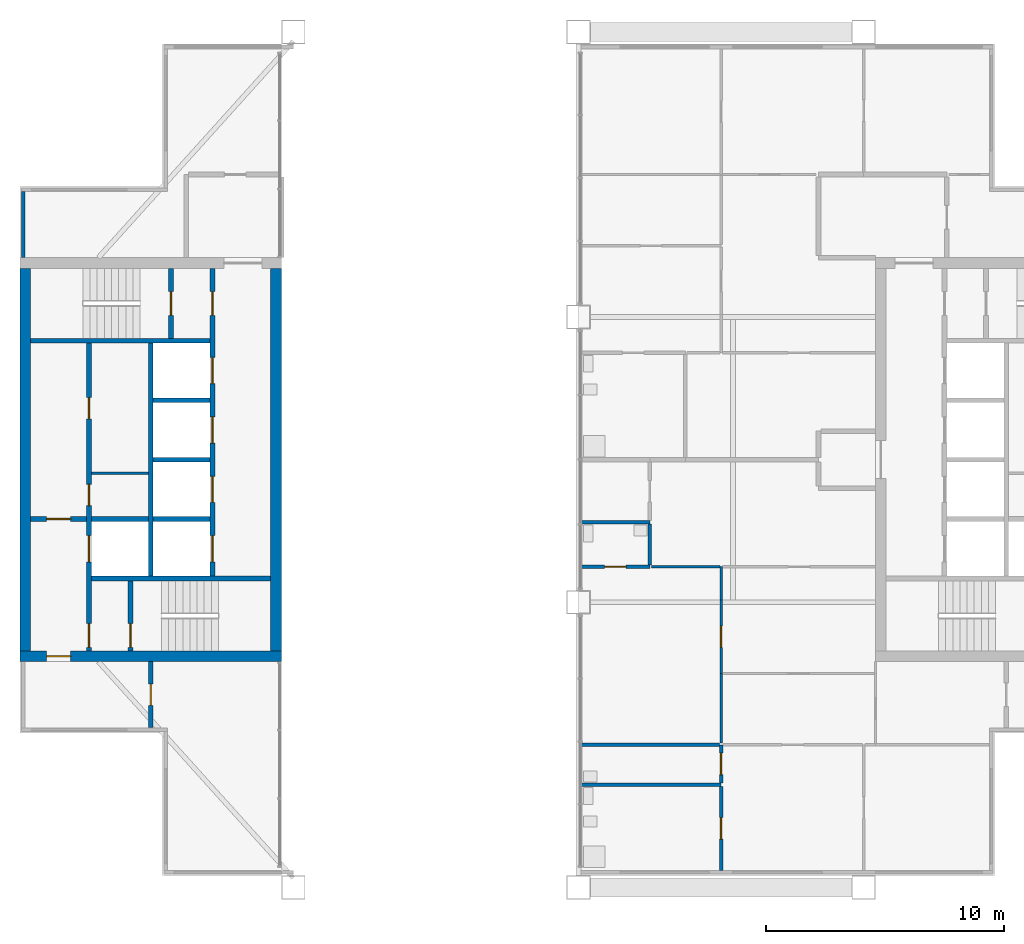
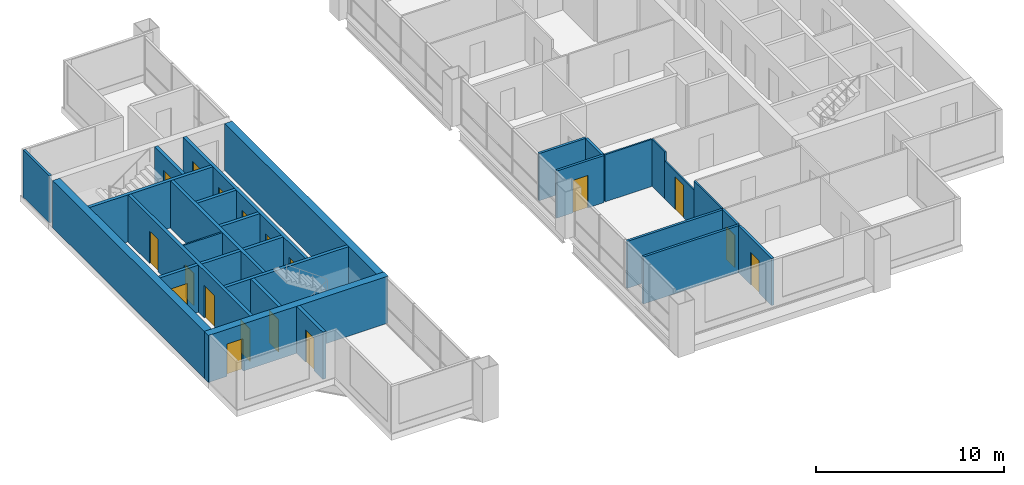
# One storey, part 7 of 12: 29 walls, 18 doors, 18 openings.
"""IFC4 building model written with IfcOpenShell, lengths in metres."""

from ifc_helpers import new_model, si_unit, direction, frame, frame_2d, origin, place, context, subcontext, project, spatial, rectangle, extrude, material, layer, layer_set, type_object, element, fill, save


model = new_model("IFC4")

# Units and contexts
model_context = context("Model", 3, precision=1e-05, world=origin(), true_north=direction((0.0, 1.0)))
body_context = subcontext(model_context, "Body", "Model", "MODEL_VIEW")
ifc_project = project(units=[si_unit("LENGTHUNIT", "METRE"), si_unit("AREAUNIT", "SQUARE_METRE"), si_unit("VOLUMEUNIT", "CUBIC_METRE"), si_unit("PLANEANGLEUNIT", "RADIAN"), si_unit("MASSUNIT", "GRAM", prefix="KILO")], contexts=[model_context])

# Site, building, storey
site_placement = place(None, origin())
site = spatial("IfcSite", under=ifc_project, at=site_placement, CompositionType="ELEMENT")
building_placement = place(site_placement, origin())
building = spatial("IfcBuilding", under=site, at=building_placement, Name="Kitamizu Gate Tower and Museum", CompositionType="ELEMENT")
storey_placement = place(building_placement, frame((0.0, 0.0, 255.89990234375)))
storey = spatial("IfcBuildingStorey", under=building, at=storey_placement, Name="L69", CompositionType="ELEMENT", Elevation=255.89990234375)

# Wall, opening, door
ifc_material_1 = material(Name="Concrete Fc42", Category="concrete")
ifc_layer_1 = layer(ifc_material_1, 0.449951171875)
ifc_layer_set_1 = layer_set([ifc_layer_1], Name="Concrete Fc42")
wall_type_1 = type_object("IfcWallType", Name="Core wall 450 EI 90", PredefinedType="SHEAR", material=ifc_layer_set_1)
wall_1_placement = place(storey_placement, frame((12.5, 21.72509765625, 0.0), z_axis=(0.0, 0.0, 1.0), x_axis=(1.0, 0.0, 0.0)))
wall_1 = element("IfcWall", 1, at=wall_1_placement, inside=storey, type_object=wall_type_1, Name="Core wall WS", PredefinedType="SHEAR", context=body_context, shape_type="SweptSolid", body=[
    extrude(rectangle(XDim=11.0, YDim=0.449951171875, at=frame_2d((5.5, 0.0))), origin(), (0.0, 0.0, 1.0), 3.050048828125),
])
opening_1_placement = place(wall_1_placement, frame((1.125, 0.0, 0.0)))
opening_1 = element("IfcOpeningElement", 2, at=opening_1_placement, cuts=wall_1, Name="Opening L69-028", PredefinedType="OPENING", context=body_context, shape_type="SweptSolid", body=[
    extrude(rectangle(XDim=1.0, YDim=2.10009765625, at=frame_2d((0.5, 1.050048828125))), frame((0.0, 0.23486328125, 0.0), z_axis=(0.0, -1.0, 0.0), x_axis=(1.0, 0.0, 0.0)), (0.0, 0.0, 1.0), 0.469970703125),
])
ifc_material_2 = material(Name="Hollow metal door set")
door_type_1 = type_object("IfcDoorType", Name="Fire door 1000", OperationType="NOTDEFINED", PredefinedType="DOOR", material=ifc_material_2)
door_1_placement = place(opening_1_placement, origin())
door_1 = element("IfcDoor", 3, at=door_1_placement, inside=storey, type_object=door_type_1, Name="Fire-fighting lobby door L69-028", OperationType="SINGLE_SWING_RIGHT", OverallHeight=2.10009765625, OverallWidth=1.0, PredefinedType="DOOR", context=body_context, shape_type="SweptSolid", body=[
    extrude(rectangle(XDim=1.0, YDim=2.10009765625, at=frame_2d((0.5, 1.050048828125))), frame((0.0, 0.02490234375, 0.0), z_axis=(0.0, -1.0, 0.0), x_axis=(1.0, 0.0, 0.0)), (0.0, 0.0, 1.0), 0.050048828125),
])
fill(opening_1, door_1)

# Walls
for number, where, z_axis, x_axis, name in (
    (4, (12.72509765625, 21.949951171875, 0.0), (0.0, 0.0, 1.0), (0.0, 1.0, 0.0), "Core wall WOUT"),
    (5, (23.27490234375, 21.949951171875, 0.0), (0.0, 0.0, 1.0), (0.0, 1.0, 0.0), "Core wall WARC"),
):
    element("IfcWall", number, at=place(storey_placement, frame(where, z_axis=z_axis, x_axis=x_axis)), inside=storey, type_object=wall_type_1, Name=name, PredefinedType="SHEAR", context=body_context, shape_type="SweptSolid", body=[
        extrude(rectangle(XDim=16.10009765625, YDim=0.449951171875, at=frame_2d((8.050048828125, 0.0))), origin(), (0.0, 0.0, 1.0), 3.050048828125),
    ])
ifc_material_3 = material(Name="Gypsum board on galvanised stud")
ifc_layer_2 = layer(ifc_material_3, 0.10009765625)
ifc_layer_set_2 = layer_set([ifc_layer_2], Name="Gypsum board on galvanised stud")
wall_type_2 = type_object("IfcWallType", Name="Partition 100", PredefinedType="PARTITIONING", material=ifc_layer_set_2)
wall_2_placement = place(storey_placement, frame((15.5, 29.425048828125, 0.0), z_axis=(0.0, 0.0, 1.0), x_axis=(1.0, 0.0, 0.0)))
element("IfcWall", 6, at=wall_2_placement, inside=storey, type_object=wall_type_2, Name="Partition WPF1", PredefinedType="PARTITIONING", context=body_context, shape_type="SweptSolid", body=[
    extrude(rectangle(XDim=2.39990234375, YDim=0.10009765625, at=frame_2d((1.199951171875, 0.0))), origin(), (0.0, 0.0, 1.0), 3.050048828125),
])
ifc_material_4 = material(Name="Gypsum board on galvanised stud")
ifc_layer_3 = layer(ifc_material_4, 0.10009765625)
ifc_layer_set_3 = layer_set([ifc_layer_3], Name="Gypsum board on galvanised stud")
wall_type_3 = type_object("IfcWallType", Name="Partition 100 NOT RATED", PredefinedType="PARTITIONING", material=ifc_layer_set_3)
wall_3_placement = place(storey_placement, frame((42.0, 18.074951171875, 0.0), z_axis=(0.0, 0.0, 1.0), x_axis=(0.0, 1.0, 0.0)))
element("IfcWall", 7, at=wall_3_placement, inside=storey, type_object=wall_type_3, Name="Partition L69-016", PredefinedType="PARTITIONING", context=body_context, shape_type="SweptSolid", body=[
    extrude(rectangle(XDim=2.925048828125, YDim=0.10009765625, at=frame_2d((1.46240234375, 0.0))), origin(), (0.0, 0.0, 1.0), 3.050048828125),
])

# Wall, opening, door
wall_4_placement = place(storey_placement, frame((42.0, 21.0, 0.0), z_axis=(0.0, 0.0, 1.0), x_axis=(0.0, 1.0, 0.0)))
wall_4 = element("IfcWall", 8, at=wall_4_placement, inside=storey, type_object=wall_type_3, Name="Partition L69-017", PredefinedType="PARTITIONING", context=body_context, shape_type="SweptSolid", body=[
    extrude(rectangle(XDim=3.10009765625, YDim=0.10009765625, at=frame_2d((1.550048828125, 0.0))), origin(), (0.0, 0.0, 1.0), 2.4501953125),
])
opening_2_placement = place(wall_4_placement, frame((1.10009765625, 0.0, 0.0)))
opening_2 = element("IfcOpeningElement", 9, at=opening_2_placement, cuts=wall_4, Name="Opening L69-008", PredefinedType="OPENING", context=body_context, shape_type="SweptSolid", body=[
    extrude(rectangle(XDim=0.89990234375, YDim=2.10009765625, at=frame_2d((0.449951171875, 1.050048828125))), frame((0.0, 0.06005859375, 0.0), z_axis=(0.0, -1.0, 0.0), x_axis=(1.0, 0.0, 0.0)), (0.0, 0.0, 1.0), 0.1201171875),
])
ifc_material_5 = material(Name="Timber door set", Category="wood")
door_type_2 = type_object("IfcDoorType", Name="Room door 900", OperationType="NOTDEFINED", PredefinedType="DOOR", material=ifc_material_5)
door_2_placement = place(opening_2_placement, frame((0.89990234375, 0.0, 0.0), x_axis=(-1.0, 0.0, 0.0)))
door_2 = element("IfcDoor", 10, at=door_2_placement, inside=storey, type_object=door_type_2, Name="Door L69-008", OperationType="SINGLE_SWING_LEFT", OverallHeight=2.10009765625, OverallWidth=0.89990234375, PredefinedType="DOOR", context=body_context, shape_type="SweptSolid", body=[
    extrude(rectangle(XDim=0.89990234375, YDim=2.10009765625, at=frame_2d((0.449951171875, 1.050048828125))), frame((0.0, 0.02490234375, 0.0), z_axis=(0.0, -1.0, 0.0), x_axis=(1.0, 0.0, 0.0)), (0.0, 0.0, 1.0), 0.050048828125),
])
fill(opening_2, door_2)

# Walls
wall_5_placement = place(storey_placement, frame((42.0, 24.10009765625, 0.0), z_axis=(0.0, 0.0, 1.0), x_axis=(0.0, 1.0, 0.0)))
element("IfcWall", 11, at=wall_5_placement, inside=storey, type_object=wall_type_3, Name="Partition L69-018", PredefinedType="PARTITIONING", context=body_context, shape_type="SweptSolid", body=[
    extrude(rectangle(XDim=1.39990234375, YDim=0.10009765625, at=frame_2d((0.699951171875, 0.0))), origin(), (0.0, 0.0, 1.0), 3.050048828125),
])
wall_6_placement = place(storey_placement, frame((41.949951171875, 25.5, 0.0), z_axis=(0.0, 0.0, 1.0), x_axis=(-1.0, 0.0, 0.0)))
element("IfcWall", 12, at=wall_6_placement, inside=storey, type_object=wall_type_3, Name="Partition L69-020", PredefinedType="PARTITIONING", context=body_context, shape_type="SweptSolid", body=[
    extrude(rectangle(XDim=2.875, YDim=0.10009765625, at=frame_2d((1.4375, 0.0))), origin(), (0.0, 0.0, 1.0), 3.050048828125),
])
ifc_material_6 = material(Name="Gypsum board on galvanised stud")
ifc_layer_4 = layer(ifc_material_6, 0.14990234375)
ifc_layer_set_4 = layer_set([ifc_layer_4], Name="Gypsum board on galvanised stud")
wall_type_4 = type_object("IfcWallType", Name="Partition 150", PredefinedType="PARTITIONING", material=ifc_layer_set_4)
wall_7_placement = place(storey_placement, frame((42.0, 16.320068359375, 0.0), z_axis=(0.0, 0.0, 1.0), x_axis=(-1.0, 0.0, 0.0)))
element("IfcWall", 13, at=wall_7_placement, inside=storey, type_object=wall_type_4, Name="Partition L69-005", PredefinedType="PARTITIONING", context=body_context, shape_type="SweptSolid", body=[
    extrude(rectangle(XDim=5.89990234375, YDim=0.14990234375, at=frame_2d((2.949951171875, 0.0))), origin(), (0.0, 0.0, 1.0), 3.050048828125),
])

# Wall, opening, door
wall_8_placement = place(storey_placement, frame((42.0, 12.719970703125, 0.0), z_axis=(0.0, 0.0, 1.0), x_axis=(0.0, 1.0, 0.0)))
wall_8 = element("IfcWall", 14, at=wall_8_placement, inside=storey, type_object=wall_type_4, Name="Partition L69-006", PredefinedType="PARTITIONING", context=body_context, shape_type="SweptSolid", body=[
    extrude(rectangle(XDim=3.525146484375, YDim=0.14990234375, at=frame_2d((1.7626953125, 0.0))), origin(), (0.0, 0.0, 1.0), 3.050048828125),
])
opening_3_placement = place(wall_8_placement, frame((1.3125, 0.0, 0.0)))
opening_3 = element("IfcOpeningElement", 15, at=opening_3_placement, cuts=wall_8, Name="Opening L69-005", PredefinedType="OPENING", context=body_context, shape_type="SweptSolid", body=[
    extrude(rectangle(XDim=0.89990234375, YDim=2.10009765625, at=frame_2d((0.449951171875, 1.050048828125))), frame((0.0, 0.0849609375, 0.0), z_axis=(0.0, -1.0, 0.0), x_axis=(1.0, 0.0, 0.0)), (0.0, 0.0, 1.0), 0.169921875),
])
ifc_material_7 = material(Name="Timber door set", Category="wood")
door_type_3 = type_object("IfcDoorType", Name="Bathroom door 900", OperationType="NOTDEFINED", PredefinedType="DOOR", material=ifc_material_7)
door_3_placement = place(opening_3_placement, origin())
door_3 = element("IfcDoor", 16, at=door_3_placement, inside=storey, type_object=door_type_3, Name="Bathroom door L69-005", OperationType="SINGLE_SWING_RIGHT", OverallHeight=2.10009765625, OverallWidth=0.89990234375, PredefinedType="DOOR", context=body_context, shape_type="SweptSolid", body=[
    extrude(rectangle(XDim=0.89990234375, YDim=2.10009765625, at=frame_2d((0.449951171875, 1.050048828125))), frame((0.0, 0.02490234375, 0.0), z_axis=(0.0, -1.0, 0.0), x_axis=(1.0, 0.0, 0.0)), (0.0, 0.0, 1.0), 0.050048828125),
])
fill(opening_3, door_3)

wall_9_placement = place(storey_placement, frame((42.0, 16.39501953125, 0.0), z_axis=(0.0, 0.0, 1.0), x_axis=(0.0, 1.0, 0.0)))
wall_9 = element("IfcWall", 17, at=wall_9_placement, inside=storey, type_object=wall_type_4, Name="Partition L69-007", PredefinedType="PARTITIONING", context=body_context, shape_type="SweptSolid", body=[
    extrude(rectangle(XDim=1.60498046875, YDim=0.14990234375, at=frame_2d((0.802490234375, 0.0))), origin(), (0.0, 0.0, 1.0), 3.050048828125),
])
opening_4_placement = place(wall_9_placement, frame((0.3525390625, 0.0, 0.0)))
opening_4 = element("IfcOpeningElement", 18, at=opening_4_placement, cuts=wall_9, Name="Opening L69-006", PredefinedType="OPENING", context=body_context, shape_type="SweptSolid", body=[
    extrude(rectangle(XDim=0.89990234375, YDim=2.10009765625, at=frame_2d((0.449951171875, 1.050048828125))), frame((0.0, 0.0849609375, 0.0), z_axis=(0.0, -1.0, 0.0), x_axis=(1.0, 0.0, 0.0)), (0.0, 0.0, 1.0), 0.169921875),
])
door_4_placement = place(opening_4_placement, origin())
door_4 = element("IfcDoor", 19, at=door_4_placement, inside=storey, type_object=door_type_3, Name="Bathroom door L69-006", OperationType="SINGLE_SWING_LEFT", OverallHeight=2.10009765625, OverallWidth=0.89990234375, PredefinedType="DOOR", context=body_context, shape_type="SweptSolid", body=[
    extrude(rectangle(XDim=0.89990234375, YDim=2.10009765625, at=frame_2d((0.449951171875, 1.050048828125))), frame((0.0, 0.02490234375, 0.0), z_axis=(0.0, -1.0, 0.0), x_axis=(1.0, 0.0, 0.0)), (0.0, 0.0, 1.0), 0.050048828125),
])
fill(opening_4, door_4)

# Wall
wall_10_placement = place(storey_placement, frame((41.925048828125, 18.0, 0.0), z_axis=(0.0, 0.0, 1.0), x_axis=(-1.0, 0.0, 0.0)))
element("IfcWall", 20, at=wall_10_placement, inside=storey, type_object=wall_type_4, Name="Partition L69-008", PredefinedType="PARTITIONING", context=body_context, shape_type="SweptSolid", body=[
    extrude(rectangle(XDim=5.824951171875, YDim=0.14990234375, at=frame_2d((2.91259765625, 0.0))), origin(), (0.0, 0.0, 1.0), 3.050048828125),
])

# Wall, opening, door
wall_11_placement = place(storey_placement, frame((39.0, 25.5, 0.0), z_axis=(0.0, 0.0, 1.0), x_axis=(-1.0, 0.0, 0.0)))
wall_11 = element("IfcWall", 21, at=wall_11_placement, inside=storey, type_object=wall_type_4, Name="Partition L69-019", PredefinedType="PARTITIONING", context=body_context, shape_type="SweptSolid", body=[
    extrude(rectangle(XDim=2.89990234375, YDim=0.14990234375, at=frame_2d((1.449951171875, 0.0))), origin(), (0.0, 0.0, 1.0), 3.050048828125),
])
opening_5_placement = place(wall_11_placement, frame((1.0, 0.0, 0.0)))
opening_5 = element("IfcOpeningElement", 22, at=opening_5_placement, cuts=wall_11, Name="Opening L69-010", PredefinedType="OPENING", context=body_context, shape_type="SweptSolid", body=[
    extrude(rectangle(XDim=0.89990234375, YDim=2.10009765625, at=frame_2d((0.449951171875, 1.050048828125))), frame((0.0, 0.0849609375, 0.0), z_axis=(0.0, -1.0, 0.0), x_axis=(1.0, 0.0, 0.0)), (0.0, 0.0, 1.0), 0.169921875),
])
door_5_placement = place(opening_5_placement, frame((0.89990234375, 0.0, 0.0), x_axis=(-1.0, 0.0, 0.0)))
door_5 = element("IfcDoor", 23, at=door_5_placement, inside=storey, type_object=door_type_3, Name="Bathroom door L69-010", OperationType="SINGLE_SWING_LEFT", OverallHeight=2.10009765625, OverallWidth=0.89990234375, PredefinedType="DOOR", context=body_context, shape_type="SweptSolid", body=[
    extrude(rectangle(XDim=0.89990234375, YDim=2.10009765625, at=frame_2d((0.449951171875, 1.050048828125))), frame((0.0, 0.02490234375, 0.0), z_axis=(0.0, -1.0, 0.0), x_axis=(1.0, 0.0, 0.0)), (0.0, 0.0, 1.0), 0.050048828125),
])
fill(opening_5, door_5)

# Walls
wall_12_placement = place(storey_placement, frame((39.0, 27.362060546875, 0.0), z_axis=(0.0, 0.0, 1.0), x_axis=(-1.0, 0.0, 0.0)))
element("IfcWall", 24, at=wall_12_placement, inside=storey, type_object=wall_type_4, Name="Partition L69-023", PredefinedType="PARTITIONING", context=body_context, shape_type="SweptSolid", body=[
    extrude(rectangle(XDim=2.89990234375, YDim=0.14990234375, at=frame_2d((1.449951171875, 0.0))), origin(), (0.0, 0.0, 1.0), 3.050048828125),
])
wall_13_placement = place(storey_placement, frame((39.0, 25.574951171875, 0.0), z_axis=(0.0, 0.0, 1.0), x_axis=(0.0, 1.0, 0.0)))
element("IfcWall", 25, at=wall_13_placement, inside=storey, type_object=wall_type_4, Name="Partition L69-024", PredefinedType="PARTITIONING", context=body_context, shape_type="SweptSolid", body=[
    extrude(rectangle(XDim=1.712158203125, YDim=0.14990234375, at=frame_2d((0.85595703125, 0.0))), origin(), (0.0, 0.0, 1.0), 3.050048828125),
])

# Wall, opening, door
ifc_material_8 = material(Name="Gypsum board on galvanised stud")
ifc_layer_5 = layer(ifc_material_8, 0.199951171875)
ifc_layer_set_5 = layer_set([ifc_layer_5], Name="Gypsum board on galvanised stud")
wall_type_5 = type_object("IfcWallType", Name="Partition 200", PredefinedType="PARTITIONING", material=ifc_layer_set_5)
wall_14_placement = place(storey_placement, frame((18.0, 21.5, 0.0), z_axis=(0.0, 0.0, 1.0), x_axis=(0.0, -1.0, 0.0)))
wall_14 = element("IfcWall", 26, at=wall_14_placement, inside=storey, type_object=wall_type_5, Name="Partition L69-001", PredefinedType="PARTITIONING", context=body_context, shape_type="SweptSolid", body=[
    extrude(rectangle(XDim=2.780029296875, YDim=0.199951171875, at=frame_2d((1.39013671875, 0.0))), origin(), (0.0, 0.0, 1.0), 3.050048828125),
])
opening_6_placement = place(wall_14_placement, frame((0.93994140625, 0.0, 0.0)))
opening_6 = element("IfcOpeningElement", 27, at=opening_6_placement, cuts=wall_14, Name="Opening L69-021", PredefinedType="OPENING", context=body_context, shape_type="SweptSolid", body=[
    extrude(rectangle(XDim=0.89990234375, YDim=2.10009765625, at=frame_2d((0.449951171875, 1.050048828125))), frame((0.0, 0.10986328125, 0.0), z_axis=(0.0, -1.0, 0.0), x_axis=(1.0, 0.0, 0.0)), (0.0, 0.0, 1.0), 0.219970703125),
])
door_6_placement = place(opening_6_placement, origin())
door_6 = element("IfcDoor", 28, at=door_6_placement, inside=storey, type_object=door_type_2, Name="Door L69-021", OperationType="SINGLE_SWING_LEFT", OverallHeight=2.10009765625, OverallWidth=0.89990234375, PredefinedType="DOOR", context=body_context, shape_type="SweptSolid", body=[
    extrude(rectangle(XDim=0.89990234375, YDim=2.10009765625, at=frame_2d((0.449951171875, 1.050048828125))), frame((0.0, 0.02490234375, 0.0), z_axis=(0.0, -1.0, 0.0), x_axis=(1.0, 0.0, 0.0)), (0.0, 0.0, 1.0), 0.050048828125),
])
fill(opening_6, door_6)

# Wall, openings, doors
ifc_material_9 = material(Name="Concrete Fc42", Category="concrete")
ifc_layer_6 = layer(ifc_material_9, 0.199951171875)
ifc_layer_set_6 = layer_set([ifc_layer_6], Name="Concrete Fc42")
wall_type_6 = type_object("IfcWallType", Name="Shaft wall 200", PredefinedType="SOLIDWALL", material=ifc_layer_set_6)
wall_15_placement = place(storey_placement, frame((15.39990234375, 21.949951171875, 0.0), z_axis=(0.0, 0.0, 1.0), x_axis=(0.0, 1.0, 0.0)))
wall_15 = element("IfcWall", 29, at=wall_15_placement, inside=storey, type_object=wall_type_6, Name="Shaft wall WWEST", PredefinedType="SOLIDWALL", context=body_context, shape_type="SweptSolid", body=[
    extrude(rectangle(XDim=12.949951171875, YDim=0.199951171875, at=frame_2d((6.47509765625, 0.0))), origin(), (0.0, 0.0, 1.0), 3.050048828125),
])
opening_7_placement = place(wall_15_placement, frame((3.75, 0.0, 0.0)))
opening_7 = element("IfcOpeningElement", 30, at=opening_7_placement, cuts=wall_15, Name="Opening LD", PredefinedType="OPENING", context=body_context, shape_type="SweptSolid", body=[
    extrude(rectangle(XDim=1.10009765625, YDim=2.10009765625, at=frame_2d((0.550048828125, 1.050048828125))), frame((0.0, 0.10986328125, 0.0), z_axis=(0.0, -1.0, 0.0), x_axis=(1.0, 0.0, 0.0)), (0.0, 0.0, 1.0), 0.219970703125),
])
opening_8_placement = place(wall_15_placement, frame((0.14990234375, 0.0, 0.0)))
opening_8 = element("IfcOpeningElement", 31, at=opening_8_placement, cuts=wall_15, Name="Opening L69-024", PredefinedType="OPENING", context=body_context, shape_type="SweptSolid", body=[
    extrude(rectangle(XDim=1.0, YDim=2.10009765625, at=frame_2d((0.5, 1.050048828125))), frame((0.0, 0.10986328125, 0.0), z_axis=(0.0, -1.0, 0.0), x_axis=(1.0, 0.0, 0.0)), (0.0, 0.0, 1.0), 0.219970703125),
])
opening_9_placement = place(wall_15_placement, frame((6.112548828125, 0.0, 0.0)))
opening_9 = element("IfcOpeningElement", 32, at=opening_9_placement, cuts=wall_15, Name="Opening L69-030", PredefinedType="OPENING", context=body_context, shape_type="SweptSolid", body=[
    extrude(rectangle(XDim=0.89990234375, YDim=2.10009765625, at=frame_2d((0.449951171875, 1.050048828125))), frame((0.0, 0.10986328125, 0.0), z_axis=(0.0, -1.0, 0.0), x_axis=(1.0, 0.0, 0.0)), (0.0, 0.0, 1.0), 0.219970703125),
])
opening_10_placement = place(wall_15_placement, frame((9.762451171875, 0.0, 0.0)))
opening_10 = element("IfcOpeningElement", 33, at=opening_10_placement, cuts=wall_15, Name="Opening L69-031", PredefinedType="OPENING", context=body_context, shape_type="SweptSolid", body=[
    extrude(rectangle(XDim=0.89990234375, YDim=2.10009765625, at=frame_2d((0.449951171875, 1.050048828125))), frame((0.0, 0.10986328125, 0.0), z_axis=(0.0, -1.0, 0.0), x_axis=(1.0, 0.0, 0.0)), (0.0, 0.0, 1.0), 0.219970703125),
])
door_7_placement = place(opening_8_placement, frame((1.0, 0.0, 0.0), x_axis=(-1.0, 0.0, 0.0)))
door_7 = element("IfcDoor", 34, at=door_7_placement, inside=storey, type_object=door_type_1, Name="Stair lobby door L69-024", OperationType="SINGLE_SWING_LEFT", OverallHeight=2.10009765625, OverallWidth=1.0, PredefinedType="DOOR", context=body_context, shape_type="SweptSolid", body=[
    extrude(rectangle(XDim=1.0, YDim=2.10009765625, at=frame_2d((0.5, 1.050048828125))), frame((0.0, 0.02490234375, 0.0), z_axis=(0.0, -1.0, 0.0), x_axis=(1.0, 0.0, 0.0)), (0.0, 0.0, 1.0), 0.050048828125),
])
fill(opening_8, door_7)
ifc_material_10 = material(Name="Hollow metal door set")
door_type_4 = type_object("IfcDoorType", Name="Landing door 1100", OperationType="SLIDING_TO_LEFT", PredefinedType="DOOR", material=ifc_material_10)
door_8_placement = place(opening_7_placement, origin())
door_8 = element("IfcDoor", 35, at=door_8_placement, inside=storey, type_object=door_type_4, Name="Landing door WFF1", OperationType="SLIDING_TO_LEFT", OverallHeight=2.10009765625, OverallWidth=1.10009765625, PredefinedType="DOOR", context=body_context, shape_type="SweptSolid", body=[
    extrude(rectangle(XDim=1.10009765625, YDim=2.10009765625, at=frame_2d((0.550048828125, 1.050048828125))), frame((0.0, 0.02490234375, 0.0), z_axis=(0.0, -1.0, 0.0), x_axis=(1.0, 0.0, 0.0)), (0.0, 0.0, 1.0), 0.050048828125),
])
fill(opening_7, door_8)
ifc_material_11 = material(Name="Timber door set", Category="wood")
door_type_5 = type_object("IfcDoorType", Name="Service door 900", OperationType="NOTDEFINED", PredefinedType="DOOR", material=ifc_material_11)
door_9_placement = place(opening_9_placement, frame((0.89990234375, 0.0, 0.0), x_axis=(-1.0, 0.0, 0.0)))
door_9 = element("IfcDoor", 36, at=door_9_placement, inside=storey, type_object=door_type_5, Name="Service door L69-030", OperationType="SINGLE_SWING_RIGHT", OverallHeight=2.10009765625, OverallWidth=0.89990234375, PredefinedType="DOOR", context=body_context, shape_type="SweptSolid", body=[
    extrude(rectangle(XDim=0.89990234375, YDim=2.10009765625, at=frame_2d((0.449951171875, 1.050048828125))), frame((0.0, 0.02490234375, 0.0), z_axis=(0.0, -1.0, 0.0), x_axis=(1.0, 0.0, 0.0)), (0.0, 0.0, 1.0), 0.050048828125),
])
fill(opening_9, door_9)
door_10_placement = place(opening_10_placement, frame((0.89990234375, 0.0, 0.0), x_axis=(-1.0, 0.0, 0.0)))
door_10 = element("IfcDoor", 37, at=door_10_placement, inside=storey, type_object=door_type_5, Name="Service door L69-031", OperationType="SINGLE_SWING_LEFT", OverallHeight=2.10009765625, OverallWidth=0.89990234375, PredefinedType="DOOR", context=body_context, shape_type="SweptSolid", body=[
    extrude(rectangle(XDim=0.89990234375, YDim=2.10009765625, at=frame_2d((0.449951171875, 1.050048828125))), frame((0.0, 0.02490234375, 0.0), z_axis=(0.0, -1.0, 0.0), x_axis=(1.0, 0.0, 0.0)), (0.0, 0.0, 1.0), 0.050048828125),
])
fill(opening_10, door_10)

wall_16_placement = place(storey_placement, frame((20.60009765625, 25.10009765625, 0.0), z_axis=(0.0, 0.0, 1.0), x_axis=(0.0, 1.0, 0.0)))
wall_16 = element("IfcWall", 38, at=wall_16_placement, inside=storey, type_object=wall_type_6, Name="Shaft wall WEAST", PredefinedType="SOLIDWALL", context=body_context, shape_type="SweptSolid", body=[
    extrude(rectangle(XDim=12.949951171875, YDim=0.199951171875, at=frame_2d((6.47509765625, 0.0))), origin(), (0.0, 0.0, 1.0), 3.050048828125),
])
opening_11_placement = place(wall_16_placement, frame((0.60009765625, 0.0, 0.0)))
opening_11 = element("IfcOpeningElement", 39, at=opening_11_placement, cuts=wall_16, Name="Opening LD", PredefinedType="OPENING", context=body_context, shape_type="SweptSolid", body=[
    extrude(rectangle(XDim=1.10009765625, YDim=2.10009765625, at=frame_2d((0.550048828125, 1.050048828125))), frame((0.0, 0.10986328125, 0.0), z_axis=(0.0, -1.0, 0.0), x_axis=(1.0, 0.0, 0.0)), (0.0, 0.0, 1.0), 0.219970703125),
])
opening_12_placement = place(wall_16_placement, frame((3.10009765625, 0.0, 0.0)))
opening_12 = element("IfcOpeningElement", 40, at=opening_12_placement, cuts=wall_16, Name="Opening LD", PredefinedType="OPENING", context=body_context, shape_type="SweptSolid", body=[
    extrude(rectangle(XDim=1.10009765625, YDim=2.10009765625, at=frame_2d((0.550048828125, 1.050048828125))), frame((0.0, 0.10986328125, 0.0), z_axis=(0.0, -1.0, 0.0), x_axis=(1.0, 0.0, 0.0)), (0.0, 0.0, 1.0), 0.219970703125),
])
opening_13_placement = place(wall_16_placement, frame((5.60009765625, 0.0, 0.0)))
opening_13 = element("IfcOpeningElement", 41, at=opening_13_placement, cuts=wall_16, Name="Opening LD", PredefinedType="OPENING", context=body_context, shape_type="SweptSolid", body=[
    extrude(rectangle(XDim=1.10009765625, YDim=2.10009765625, at=frame_2d((0.550048828125, 1.050048828125))), frame((0.0, 0.10986328125, 0.0), z_axis=(0.0, -1.0, 0.0), x_axis=(1.0, 0.0, 0.0)), (0.0, 0.0, 1.0), 0.219970703125),
])
opening_14_placement = place(wall_16_placement, frame((8.10009765625, 0.0, 0.0)))
opening_14 = element("IfcOpeningElement", 42, at=opening_14_placement, cuts=wall_16, Name="Opening LD", PredefinedType="OPENING", context=body_context, shape_type="SweptSolid", body=[
    extrude(rectangle(XDim=1.10009765625, YDim=2.10009765625, at=frame_2d((0.550048828125, 1.050048828125))), frame((0.0, 0.10986328125, 0.0), z_axis=(0.0, -1.0, 0.0), x_axis=(1.0, 0.0, 0.0)), (0.0, 0.0, 1.0), 0.219970703125),
])
opening_15_placement = place(wall_16_placement, frame((10.97509765625, 0.0, 0.0)))
opening_15 = element("IfcOpeningElement", 43, at=opening_15_placement, cuts=wall_16, Name="Opening L69-025", PredefinedType="OPENING", context=body_context, shape_type="SweptSolid", body=[
    extrude(rectangle(XDim=1.0, YDim=2.10009765625, at=frame_2d((0.5, 1.050048828125))), frame((0.0, 0.10986328125, 0.0), z_axis=(0.0, -1.0, 0.0), x_axis=(1.0, 0.0, 0.0)), (0.0, 0.0, 1.0), 0.219970703125),
])
door_11_placement = place(opening_15_placement, origin())
door_11 = element("IfcDoor", 44, at=door_11_placement, inside=storey, type_object=door_type_1, Name="Stair lobby door L69-025", OperationType="SINGLE_SWING_LEFT", OverallHeight=2.10009765625, OverallWidth=1.0, PredefinedType="DOOR", context=body_context, shape_type="SweptSolid", body=[
    extrude(rectangle(XDim=1.0, YDim=2.10009765625, at=frame_2d((0.5, 1.050048828125))), frame((0.0, 0.02490234375, 0.0), z_axis=(0.0, -1.0, 0.0), x_axis=(1.0, 0.0, 0.0)), (0.0, 0.0, 1.0), 0.050048828125),
])
fill(opening_15, door_11)
door_12_placement = place(opening_11_placement, origin())
door_12 = element("IfcDoor", 45, at=door_12_placement, inside=storey, type_object=door_type_4, Name="Landing door WSV1", OperationType="SLIDING_TO_LEFT", OverallHeight=2.10009765625, OverallWidth=1.10009765625, PredefinedType="DOOR", context=body_context, shape_type="SweptSolid", body=[
    extrude(rectangle(XDim=1.10009765625, YDim=2.10009765625, at=frame_2d((0.550048828125, 1.050048828125))), frame((0.0, 0.02490234375, 0.0), z_axis=(0.0, -1.0, 0.0), x_axis=(1.0, 0.0, 0.0)), (0.0, 0.0, 1.0), 0.050048828125),
])
fill(opening_11, door_12)
door_13_placement = place(opening_12_placement, origin())
door_13 = element("IfcDoor", 46, at=door_13_placement, inside=storey, type_object=door_type_4, Name="Landing door WH1", OperationType="SLIDING_TO_LEFT", OverallHeight=2.10009765625, OverallWidth=1.10009765625, PredefinedType="DOOR", context=body_context, shape_type="SweptSolid", body=[
    extrude(rectangle(XDim=1.10009765625, YDim=2.10009765625, at=frame_2d((0.550048828125, 1.050048828125))), frame((0.0, 0.02490234375, 0.0), z_axis=(0.0, -1.0, 0.0), x_axis=(1.0, 0.0, 0.0)), (0.0, 0.0, 1.0), 0.050048828125),
])
fill(opening_12, door_13)
door_14_placement = place(opening_13_placement, origin())
door_14 = element("IfcDoor", 47, at=door_14_placement, inside=storey, type_object=door_type_4, Name="Landing door WH2", OperationType="SLIDING_TO_LEFT", OverallHeight=2.10009765625, OverallWidth=1.10009765625, PredefinedType="DOOR", context=body_context, shape_type="SweptSolid", body=[
    extrude(rectangle(XDim=1.10009765625, YDim=2.10009765625, at=frame_2d((0.550048828125, 1.050048828125))), frame((0.0, 0.02490234375, 0.0), z_axis=(0.0, -1.0, 0.0), x_axis=(1.0, 0.0, 0.0)), (0.0, 0.0, 1.0), 0.050048828125),
])
fill(opening_13, door_14)
door_15_placement = place(opening_14_placement, origin())
door_15 = element("IfcDoor", 48, at=door_15_placement, inside=storey, type_object=door_type_4, Name="Landing door WH3", OperationType="SLIDING_TO_LEFT", OverallHeight=2.10009765625, OverallWidth=1.10009765625, PredefinedType="DOOR", context=body_context, shape_type="SweptSolid", body=[
    extrude(rectangle(XDim=1.10009765625, YDim=2.10009765625, at=frame_2d((0.550048828125, 1.050048828125))), frame((0.0, 0.02490234375, 0.0), z_axis=(0.0, -1.0, 0.0), x_axis=(1.0, 0.0, 0.0)), (0.0, 0.0, 1.0), 0.050048828125),
])
fill(opening_14, door_15)

# Walls
wall_17_placement = place(storey_placement, frame((18.0, 25.10009765625, 0.0), z_axis=(0.0, 0.0, 1.0), x_axis=(0.0, 1.0, 0.0)))
element("IfcWall", 49, at=wall_17_placement, inside=storey, type_object=wall_type_6, Name="Shaft wall WMID", PredefinedType="SOLIDWALL", context=body_context, shape_type="SweptSolid", body=[
    extrude(rectangle(XDim=9.7998046875, YDim=0.199951171875, at=frame_2d((4.89990234375, 0.0))), origin(), (0.0, 0.0, 1.0), 3.050048828125),
])
for number, where, z_axis, x_axis, name in (
    (50, (15.5, 25.0, 0.0), (0.0, 0.0, 1.0), (1.0, 0.0, 0.0), "Shaft wall WSB"),
    (51, (12.949951171875, 35.0, 0.0), (0.0, 0.0, 1.0), (1.0, 0.0, 0.0), "Shaft wall WNB"),
):
    element("IfcWall", number, at=place(storey_placement, frame(where, z_axis=z_axis, x_axis=x_axis)), inside=storey, type_object=wall_type_6, Name=name, PredefinedType="SOLIDWALL", context=body_context, shape_type="SweptSolid", body=[
        extrude(rectangle(XDim=7.550048828125, YDim=0.199951171875, at=frame_2d((3.77490234375, 0.0))), origin(), (0.0, 0.0, 1.0), 3.050048828125),
    ])

# Wall, opening, door
wall_18_placement = place(storey_placement, frame((12.949951171875, 27.5, 0.0), z_axis=(0.0, 0.0, 1.0), x_axis=(1.0, 0.0, 0.0)))
wall_18 = element("IfcWall", 52, at=wall_18_placement, inside=storey, type_object=wall_type_6, Name="Shaft wall WFFN", PredefinedType="SOLIDWALL", context=body_context, shape_type="SweptSolid", body=[
    extrude(rectangle(XDim=2.35009765625, YDim=0.199951171875, at=frame_2d((1.175048828125, 0.0))), origin(), (0.0, 0.0, 1.0), 3.050048828125),
])
opening_16_placement = place(wall_18_placement, frame((0.675048828125, 0.0, 0.0)))
opening_16 = element("IfcOpeningElement", 53, at=opening_16_placement, cuts=wall_18, Name="Opening L69-027", PredefinedType="OPENING", context=body_context, shape_type="SweptSolid", body=[
    extrude(rectangle(XDim=1.0, YDim=2.10009765625, at=frame_2d((0.5, 1.050048828125))), frame((0.0, 0.10986328125, 0.0), z_axis=(0.0, -1.0, 0.0), x_axis=(1.0, 0.0, 0.0)), (0.0, 0.0, 1.0), 0.219970703125),
])
door_16_placement = place(opening_16_placement, frame((1.0, 0.0, 0.0), x_axis=(-1.0, 0.0, 0.0)))
door_16 = element("IfcDoor", 54, at=door_16_placement, inside=storey, type_object=door_type_1, Name="Fire-fighting lobby door L69-027", OperationType="SINGLE_SWING_RIGHT", OverallHeight=2.10009765625, OverallWidth=1.0, PredefinedType="DOOR", context=body_context, shape_type="SweptSolid", body=[
    extrude(rectangle(XDim=1.0, YDim=2.10009765625, at=frame_2d((0.5, 1.050048828125))), frame((0.0, 0.02490234375, 0.0), z_axis=(0.0, -1.0, 0.0), x_axis=(1.0, 0.0, 0.0)), (0.0, 0.0, 1.0), 0.050048828125),
])
fill(opening_16, door_16)

wall_19_placement = place(storey_placement, frame((17.14990234375, 21.949951171875, 0.0), z_axis=(0.0, 0.0, 1.0), x_axis=(0.0, 1.0, 0.0)))
wall_19 = element("IfcWall", 55, at=wall_19_placement, inside=storey, type_object=wall_type_6, Name="Shaft wall WSZ", PredefinedType="SOLIDWALL", context=body_context, shape_type="SweptSolid", body=[
    extrude(rectangle(XDim=2.949951171875, YDim=0.199951171875, at=frame_2d((1.47509765625, 0.0))), origin(), (0.0, 0.0, 1.0), 3.050048828125),
])
opening_17_placement = place(wall_19_placement, frame((0.14990234375, 0.0, 0.0)))
opening_17 = element("IfcOpeningElement", 56, at=opening_17_placement, cuts=wall_19, Name="Opening L69-023", PredefinedType="OPENING", context=body_context, shape_type="SweptSolid", body=[
    extrude(rectangle(XDim=1.0, YDim=2.10009765625, at=frame_2d((0.5, 1.050048828125))), frame((0.0, 0.10986328125, 0.0), z_axis=(0.0, -1.0, 0.0), x_axis=(1.0, 0.0, 0.0)), (0.0, 0.0, 1.0), 0.219970703125),
])
door_17_placement = place(opening_17_placement, frame((1.0, 0.0, 0.0), x_axis=(-1.0, 0.0, 0.0)))
door_17 = element("IfcDoor", 57, at=door_17_placement, inside=storey, type_object=door_type_1, Name="Stair door L69-023", OperationType="SINGLE_SWING_LEFT", OverallHeight=2.10009765625, OverallWidth=1.0, PredefinedType="DOOR", context=body_context, shape_type="SweptSolid", body=[
    extrude(rectangle(XDim=1.0, YDim=2.10009765625, at=frame_2d((0.5, 1.050048828125))), frame((0.0, 0.02490234375, 0.0), z_axis=(0.0, -1.0, 0.0), x_axis=(1.0, 0.0, 0.0)), (0.0, 0.0, 1.0), 0.050048828125),
])
fill(opening_17, door_17)

wall_20_placement = place(storey_placement, frame((18.85009765625, 35.10009765625, 0.0), z_axis=(0.0, 0.0, 1.0), x_axis=(0.0, 1.0, 0.0)))
wall_20 = element("IfcWall", 58, at=wall_20_placement, inside=storey, type_object=wall_type_6, Name="Shaft wall WNZ", PredefinedType="SOLIDWALL", context=body_context, shape_type="SweptSolid", body=[
    extrude(rectangle(XDim=2.949951171875, YDim=0.199951171875, at=frame_2d((1.47509765625, 0.0))), origin(), (0.0, 0.0, 1.0), 3.050048828125),
])
opening_18_placement = place(wall_20_placement, frame((0.97509765625, 0.0, 0.0)))
opening_18 = element("IfcOpeningElement", 59, at=opening_18_placement, cuts=wall_20, Name="Opening L69-026", PredefinedType="OPENING", context=body_context, shape_type="SweptSolid", body=[
    extrude(rectangle(XDim=1.0, YDim=2.10009765625, at=frame_2d((0.5, 1.050048828125))), frame((0.0, 0.10986328125, 0.0), z_axis=(0.0, -1.0, 0.0), x_axis=(1.0, 0.0, 0.0)), (0.0, 0.0, 1.0), 0.219970703125),
])
door_18_placement = place(opening_18_placement, origin())
door_18 = element("IfcDoor", 60, at=door_18_placement, inside=storey, type_object=door_type_1, Name="Stair door L69-026", OperationType="SINGLE_SWING_RIGHT", OverallHeight=2.10009765625, OverallWidth=1.0, PredefinedType="DOOR", context=body_context, shape_type="SweptSolid", body=[
    extrude(rectangle(XDim=1.0, YDim=2.10009765625, at=frame_2d((0.5, 1.050048828125))), frame((0.0, 0.02490234375, 0.0), z_axis=(0.0, -1.0, 0.0), x_axis=(1.0, 0.0, 0.0)), (0.0, 0.0, 1.0), 0.050048828125),
])
fill(opening_18, door_18)

# Walls
for number, where, z_axis, x_axis, name in (
    (61, (15.5, 27.5, 0.0), (0.0, 0.0, 1.0), (1.0, 0.0, 0.0), "Shaft wall WDVW0"),
    (62, (18.10009765625, 27.5, 0.0), (0.0, 0.0, 1.0), (1.0, 0.0, 0.0), "Shaft wall WDVE0"),
    (63, (18.10009765625, 30.0, 0.0), (0.0, 0.0, 1.0), (1.0, 0.0, 0.0), "Shaft wall WDVE1"),
    (64, (18.10009765625, 32.5, 0.0), (0.0, 0.0, 1.0), (1.0, 0.0, 0.0), "Shaft wall WDVE2"),
):
    element("IfcWall", number, at=place(storey_placement, frame(where, z_axis=z_axis, x_axis=x_axis)), inside=storey, type_object=wall_type_6, Name=name, PredefinedType="SOLIDWALL", context=body_context, shape_type="SweptSolid", body=[
        extrude(rectangle(XDim=2.39990234375, YDim=0.199951171875, at=frame_2d((1.199951171875, 0.0))), origin(), (0.0, 0.0, 1.0), 3.050048828125),
    ])
ifc_material_12 = material(Name="Bronze anodised aluminium frame with insulated spandrel and tinted glass", Category="aluminium")
ifc_layer_7 = layer(ifc_material_12, 0.14990234375)
ifc_layer_set_7 = layer_set([ifc_layer_7], Name="Bronze anodised aluminium frame with insulated spandrel and tinted glass")
wall_type_7 = type_object("IfcWallType", Name="WINDOW WALL 150 BRONZE FRAME EI 30", PredefinedType="ELEMENTEDWALL", material=ifc_layer_set_7)
wall_21_placement = place(storey_placement, frame((12.635009765625, 38.5, 0.0), z_axis=(0.0, 0.0, 1.0), x_axis=(0.0, 1.0, 0.0)))
element("IfcWall", 65, at=wall_21_placement, inside=storey, type_object=wall_type_7, Name="Window wall west L69", PredefinedType="ELEMENTEDWALL", context=body_context, shape_type="SweptSolid", body=[
    extrude(rectangle(XDim=2.7900390625, YDim=0.14990234375, at=frame_2d((1.39501953125, 0.0))), origin(), (0.0, 0.0, 1.0), 3.050048828125),
])

save(model, "model.ifc")
